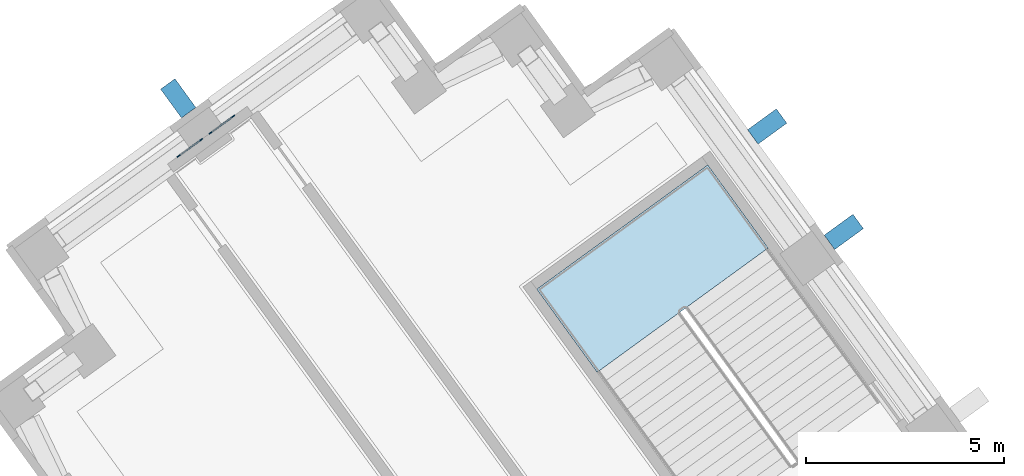
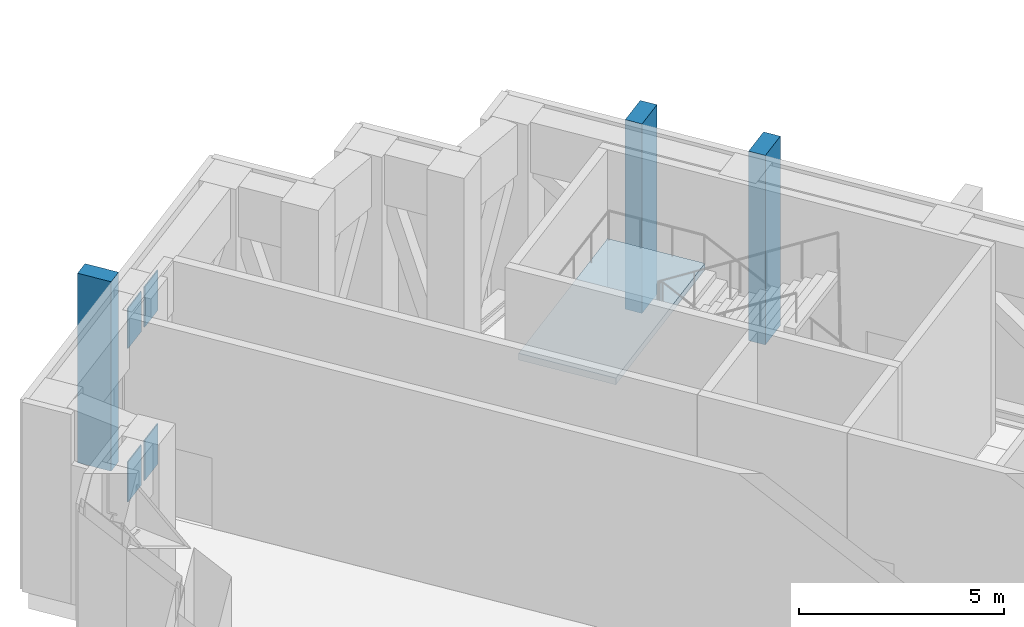
# One storey, part 6 of 19: 7 plates, 1 slab, 1 element without a shape of its own.
"""IFC4 building model written with IfcOpenShell, lengths in metres."""

from ifc_helpers import new_model, si_unit, direction, frame, origin, origin_2d, place, context, subcontext, project, spatial, polyline, rectangle, outline, extrude, material, layer, layer_set, type_object, element, aggregate, save


model = new_model("IFC4")

# Units and contexts
model_context = context("Model", 3, precision=1e-05, world=origin(), true_north=direction((0.0, 1.0)))
body_context = subcontext(model_context, "Body", "Model", "MODEL_VIEW")
ifc_project = project(units=[si_unit("LENGTHUNIT", "METRE"), si_unit("AREAUNIT", "SQUARE_METRE"), si_unit("VOLUMEUNIT", "CUBIC_METRE"), si_unit("PLANEANGLEUNIT", "RADIAN"), si_unit("MASSUNIT", "GRAM", prefix="KILO")], contexts=[model_context])

# Site, building, storey
site_placement = place(None, origin())
site = spatial("IfcSite", under=ifc_project, at=site_placement, CompositionType="ELEMENT")
building_placement = place(site_placement, origin())
building = spatial("IfcBuilding", under=site, at=building_placement, Name="Quipu Civic Tower", CompositionType="ELEMENT")
storey_placement = place(building_placement, frame((0.0, 0.0, 25.0)))
storey = spatial("IfcBuildingStorey", under=building, at=storey_placement, Name="L05", CompositionType="ELEMENT", Elevation=25.0)

# Plates
ifc_material_1 = material(Name="Steel ASTM A572 Grade 50 (fy 345 MPa)", Category="steel")
ifc_layer_1 = layer(ifc_material_1, 0.030029296875)
ifc_layer_set_1 = layer_set([ifc_layer_1], Name="Steel ASTM A572 Grade 50 (fy 345 MPa)")
plate_type_1 = type_object("IfcPlateType", Name="Cast in plate BC1", PredefinedType="SHEET", material=ifc_layer_set_1)
for number, where, z_axis, x_axis, name in (
    (1, (-48.66162109375, 40.2998046875, -0.27734375), (0.0, 0.0, 1.0), (0.80902725304, 0.587771132193, 0.0), "Cast-in plate BC1 L05 002"),
    (2, (-49.470458984375, 39.7119140625, -0.27734375), (0.0, 0.0, 1.0), (0.80902725304, 0.587771132193, 0.0), "Cast-in plate BC1 L05 005"),
):
    element("IfcPlate", number, at=place(storey_placement, frame(where, z_axis=z_axis, x_axis=x_axis)), inside=storey, type_object=plate_type_1, Name=name, PredefinedType="SHEET", context=body_context, shape_type="SweptSolid", body=[
        extrude(rectangle(XDim=0.800048828125, YDim=0.030029296875, at=origin_2d()), origin(), (0.0, 0.0, 1.0), 1.199951171875),
    ])
ifc_material_2 = material(Name="Steel ASTM A572 Grade 50 (fy 345 MPa)", Category="steel")
ifc_layer_2 = layer(ifc_material_2, 0.030029296875)
ifc_layer_set_2 = layer_set([ifc_layer_2], Name="Steel ASTM A572 Grade 50 (fy 345 MPa)")
plate_type_2 = type_object("IfcPlateType", Name="Cast in plate TC1", PredefinedType="SHEET", material=ifc_layer_set_2)
for number, where, z_axis, x_axis, name in (
    (3, (-48.66162109375, 40.2998046875, 4.2998046875), (0.0, 0.0, 1.0), (0.80902725304, 0.587771132193, 0.0), "Cast-in plate TC1 L05 001"),
    (4, (-49.470458984375, 39.7119140625, 4.2998046875), (0.0, 0.0, 1.0), (0.80902725304, 0.587771132193, 0.0), "Cast-in plate TC1 L05 004"),
):
    element("IfcPlate", number, at=place(storey_placement, frame(where, z_axis=z_axis, x_axis=x_axis)), inside=storey, type_object=plate_type_2, Name=name, PredefinedType="SHEET", context=body_context, shape_type="SweptSolid", body=[
        extrude(rectangle(XDim=0.800048828125, YDim=0.030029296875, at=origin_2d()), origin(), (0.0, 0.0, 1.0), 1.199951171875),
    ])
ifc_material_3 = material(Name="Precast concrete C40/50", Category="concrete")
plate_type_3 = type_object("IfcPlateType", Name="Precast fin F1", PredefinedType="SHEET", material=ifc_material_3)
for number, where, z_axis, x_axis, name in (
    (5, (-32.92333984375, 37.587158203125, 0.0), (0.0, 0.0, 1.0), (-0.587784944053, 0.809017218324, 0.0), "Precast fin F1 L05.1.6"),
    (6, (-34.861572265625, 40.2548828125, 0.0), (0.0, 0.0, 1.0), (-0.587784944053, 0.809017218324, 0.0), "Precast fin F1 L05.1.7"),
    (7, (-49.764404296875, 40.967041015625, 0.0), (0.0, 0.0, 1.0), (-0.809021318545, -0.587779300537, 0.0), "Precast fin F1 L05.6.1"),
):
    element("IfcPlate", number, at=place(storey_placement, frame(where, z_axis=z_axis, x_axis=x_axis)), inside=storey, type_object=plate_type_3, Name=name, PredefinedType="SHEET", context=body_context, shape_type="SweptSolid", body=[
        extrude(rectangle(XDim=0.449951171875, YDim=0.89990234375, at=origin_2d()), origin(), (0.0, 0.0, 1.0), 5.64990234375),
    ])

# Stair, slab
ifc_material_4 = material(Name="Concrete C40/50", Category="concrete")
stair_type = type_object("IfcStairType", Name="Half turn stair 2600", PredefinedType="HALF_TURN_STAIR", material=ifc_material_4)
stair_placement = place(storey_placement, origin())
stair = element("IfcStair", 8, at=stair_placement, inside=storey, type_object=stair_type, Name="Exit stair 6", PredefinedType="HALF_TURN_STAIR")
ifc_material_5 = material(Name="Concrete C40/50", Category="concrete")
ifc_layer_3 = layer(ifc_material_5, 0.199951171875)
ifc_layer_set_3 = layer_set([ifc_layer_3], Name="Concrete C40/50")
slab_type = type_object("IfcSlabType", Name="Stair landing 200", PredefinedType="LANDING", material=ifc_layer_set_3)
slab_placement = place(storey_placement, frame((0.0, 0.0, 2.800048828125)))
slab = element("IfcSlab", 9, at=slab_placement, type_object=slab_type, Name="ST-6 landing 1", PredefinedType="LANDING", context=body_context, shape_type="SweptSolid", body=[
    extrude(outline(polyline([(-34.837158203125, 37.179443359375), (-36.365478515625, 39.282958984375), (-40.69384765625, 36.138427734375), (-39.16552734375, 34.034912109375), (-34.837158203125, 37.179443359375)])), origin(), (0.0, 0.0, 1.0), 0.199951171875),
])
aggregate(stair, [slab])

save(model, "model.ifc")
